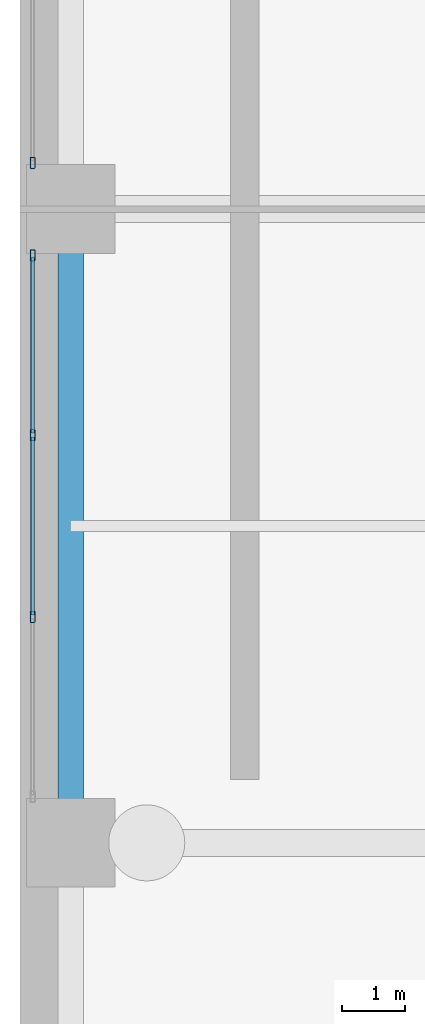
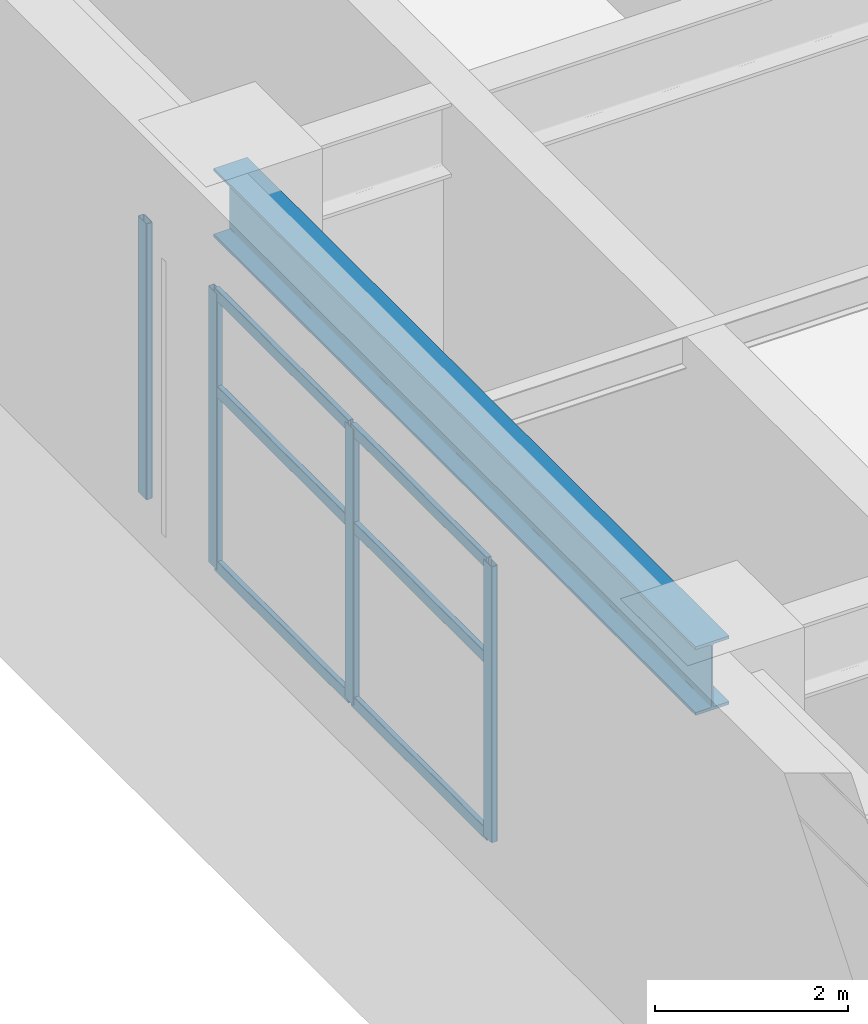
# One storey, part 8 of 25: 10 members, 1 beam, 2 elements without a shape of their own.
"""IFC4 building model written with IfcOpenShell, lengths in metres."""

from ifc_helpers import new_model, si_unit, direction, frame, origin, origin_2d, place, context, subcontext, project, spatial, hollow_rectangle, i_section, extrude, material, layer, layer_set, material_profile, profile_set, type_object, element, aggregate, save


model = new_model("IFC4")

# Units and contexts
model_context = context("Model", 3, precision=1e-05, world=origin(), true_north=direction((0.0, 1.0)))
body_context = subcontext(model_context, "Body", "Model", "MODEL_VIEW")
ifc_project = project(units=[si_unit("LENGTHUNIT", "METRE"), si_unit("AREAUNIT", "SQUARE_METRE"), si_unit("VOLUMEUNIT", "CUBIC_METRE"), si_unit("PLANEANGLEUNIT", "RADIAN"), si_unit("MASSUNIT", "GRAM", prefix="KILO")], contexts=[model_context])

# Site, building, storey
site_placement = place(None, origin())
site = spatial("IfcSite", under=ifc_project, at=site_placement, CompositionType="ELEMENT")
building_placement = place(site_placement, origin())
building = spatial("IfcBuilding", under=site, at=building_placement, Name="Soratama Intermodal Tower", CompositionType="ELEMENT")
storey_placement = place(building_placement, frame((0.0, 0.0, -10.199951171875)))
storey = spatial("IfcBuildingStorey", under=building, at=storey_placement, Name="B2", CompositionType="ELEMENT", Elevation=-10.199951171875)

# Beam
ifc_material_1 = material(Name="Structural steel ASTM A992 Grade 50", Category="steel")
ifc_material_profile_1 = material_profile(ifc_material_1, i_section(OverallWidth=0.403076171875, OverallDepth=0.867919921875, WebThickness=0.02099609375, FlangeThickness=0.03564453125, FilletRadius=0.01806640625, at=origin_2d()), Name="W33X241")
ifc_profile_set_1 = profile_set([ifc_material_profile_1], Name="Structural steel ASTM A992 Grade 50")
beam_type = type_object("IfcBeamType", Name="BM-POD-EXT-W33", PredefinedType="BEAM", material=ifc_profile_set_1)
beam_placement = place(storey_placement, frame((0.800048828125, 15.0, 4.005859375), z_axis=(0.0, 1.0, 0.0), x_axis=(-1.0, 0.0, 0.0)))
element("IfcBeam", 1, at=beam_placement, inside=storey, type_object=beam_type, Name="B2 Station Girder Y1-2", PredefinedType="BEAM", context=body_context, shape_type="SweptSolid", body=[
    extrude(i_section(OverallWidth=0.403076171875, OverallDepth=0.867919921875, WebThickness=0.02099609375, FlangeThickness=0.03564453125, FilletRadius=0.01806640625, at=origin_2d()), origin(), (0.0, 0.0, 1.0), 10.0),
])

# Curtain wall, members
ifc_material_2 = material(Name="Double-glazed aluminium curtain wall", Category="aluminium")
ifc_layer = layer(ifc_material_2, 0.159912109375)
ifc_layer_set = layer_set([ifc_layer], Name="Double-glazed aluminium curtain wall")
curtain_wall_type = type_object("IfcCurtainWallType", Name="CW-SYS-1", PredefinedType="NOTDEFINED", material=ifc_layer_set)
curtain_wall_1_placement = place(storey_placement, origin())
curtain_wall_1 = element("IfcCurtainWall", 2, at=curtain_wall_1_placement, inside=storey, type_object=curtain_wall_type, Name="B2 Station Curtain Wall W1", PredefinedType="NOTDEFINED")
ifc_material_3 = material(Name="Anodised aluminium AA 6063-T6", Category="aluminium")
ifc_material_profile_2 = material_profile(ifc_material_3, hollow_rectangle(XDim=0.074951171875, YDim=0.179931640625, WallThickness=0.006103515625, InnerFilletRadius=0.006103515625, OuterFilletRadius=0.011962890625, at=origin_2d()), Name="CWM180X75X6")
ifc_profile_set_2 = profile_set([ifc_material_profile_2], Name="Anodised aluminium AA 6063-T6")
member_type_1 = type_object("IfcMemberType", Name="MT-CWM-1", PredefinedType="MULLION", material=ifc_profile_set_2)
member_1_placement = place(storey_placement, frame((0.199951171875, 18.566650390625, 0.0), z_axis=(0.0, 0.0, 1.0), x_axis=(-1.0, 0.0, 0.0)))
member_1 = element("IfcMember", 3, at=member_1_placement, type_object=member_type_1, Name="CW-1 mullion 2", PredefinedType="MULLION", context=body_context, shape_type="SweptSolid", body=[
    extrude(hollow_rectangle(XDim=0.074951171875, YDim=0.179931640625, WallThickness=0.006103515625, InnerFilletRadius=0.006103515625, OuterFilletRadius=0.011962890625, at=origin_2d()), origin(), (0.0, 0.0, 1.0), 3.495849609375),
])
member_2_placement = place(storey_placement, frame((0.199951171875, 21.433349609375, 0.0), z_axis=(0.0, 0.0, 1.0), x_axis=(-1.0, 0.0, 0.0)))
member_2 = element("IfcMember", 4, at=member_2_placement, type_object=member_type_1, Name="CW-1 mullion 3", PredefinedType="MULLION", context=body_context, shape_type="SweptSolid", body=[
    extrude(hollow_rectangle(XDim=0.074951171875, YDim=0.179931640625, WallThickness=0.006103515625, InnerFilletRadius=0.006103515625, OuterFilletRadius=0.011962890625, at=origin_2d()), origin(), (0.0, 0.0, 1.0), 3.495849609375),
])
member_3_placement = place(storey_placement, frame((0.199951171875, 24.27001953125, 0.0), z_axis=(0.0, 0.0, 1.0), x_axis=(-1.0, 0.0, 0.0)))
member_3 = element("IfcMember", 5, at=member_3_placement, type_object=member_type_1, Name="CW-1 mullion 4", PredefinedType="MULLION", context=body_context, shape_type="SweptSolid", body=[
    extrude(hollow_rectangle(XDim=0.074951171875, YDim=0.179931640625, WallThickness=0.006103515625, InnerFilletRadius=0.006103515625, OuterFilletRadius=0.011962890625, at=origin_2d()), origin(), (0.0, 0.0, 1.0), 3.495849609375),
])

# Curtain wall, member
curtain_wall_2_placement = place(storey_placement, origin())
curtain_wall_2 = element("IfcCurtainWall", 6, at=curtain_wall_2_placement, inside=storey, type_object=curtain_wall_type, Name="B2 Station Curtain Wall W2", PredefinedType="NOTDEFINED")
member_4_placement = place(storey_placement, frame((0.199951171875, 25.72998046875, 0.0), z_axis=(0.0, 0.0, 1.0), x_axis=(-1.0, 0.0, 0.0)))
member_4 = element("IfcMember", 7, at=member_4_placement, type_object=member_type_1, Name="CW-1 mullion 1", PredefinedType="MULLION", context=body_context, shape_type="SweptSolid", body=[
    extrude(hollow_rectangle(XDim=0.074951171875, YDim=0.179931640625, WallThickness=0.006103515625, InnerFilletRadius=0.006103515625, OuterFilletRadius=0.011962890625, at=origin_2d()), origin(), (0.0, 0.0, 1.0), 3.495849609375),
])
aggregate(curtain_wall_2, [member_4])

# Member
ifc_material_4 = material(Name="Anodised aluminium AA 6063-T6", Category="aluminium")
ifc_material_profile_3 = material_profile(ifc_material_4, hollow_rectangle(XDim=0.06494140625, YDim=0.14990234375, WallThickness=0.0048828125, InnerFilletRadius=0.0048828125, OuterFilletRadius=0.010009765625, at=origin_2d()), Name="CWT150X65X5")
ifc_profile_set_3 = profile_set([ifc_material_profile_3], Name="Anodised aluminium AA 6063-T6")
member_type_2 = type_object("IfcMemberType", Name="TT-CWT-1", PredefinedType="USERDEFINED", material=ifc_profile_set_3)
member_5_placement = place(storey_placement, frame((0.199951171875, 18.5966796875, 0.030029296875), z_axis=(0.0, 1.0, 0.0), x_axis=(-1.0, 0.0, 0.0)))
member_5 = element("IfcMember", 8, at=member_5_placement, type_object=member_type_2, Name="CW-1 transom 2.1", ObjectType="TRANSOM", PredefinedType="USERDEFINED", context=body_context, shape_type="SweptSolid", body=[
    extrude(hollow_rectangle(XDim=0.06494140625, YDim=0.14990234375, WallThickness=0.0048828125, InnerFilletRadius=0.0048828125, OuterFilletRadius=0.010009765625, at=origin_2d()), origin(), (0.0, 0.0, 1.0), 2.806640625),
])

member_6_placement = place(storey_placement, frame((0.199951171875, 18.5966796875, 2.25), z_axis=(0.0, 1.0, 0.0), x_axis=(-1.0, 0.0, 0.0)))
member_6 = element("IfcMember", 9, at=member_6_placement, type_object=member_type_2, Name="CW-1 transom 2.2", ObjectType="TRANSOM", PredefinedType="USERDEFINED", context=body_context, shape_type="SweptSolid", body=[
    extrude(hollow_rectangle(XDim=0.06494140625, YDim=0.14990234375, WallThickness=0.0048828125, InnerFilletRadius=0.0048828125, OuterFilletRadius=0.010009765625, at=origin_2d()), origin(), (0.0, 0.0, 1.0), 2.806640625),
])

member_7_placement = place(storey_placement, frame((0.199951171875, 18.5966796875, 3.466064453125), z_axis=(0.0, 1.0, 0.0), x_axis=(-1.0, 0.0, 0.0)))
member_7 = element("IfcMember", 10, at=member_7_placement, type_object=member_type_2, Name="CW-1 transom 2.3", ObjectType="TRANSOM", PredefinedType="USERDEFINED", context=body_context, shape_type="SweptSolid", body=[
    extrude(hollow_rectangle(XDim=0.06494140625, YDim=0.14990234375, WallThickness=0.0048828125, InnerFilletRadius=0.0048828125, OuterFilletRadius=0.010009765625, at=origin_2d()), origin(), (0.0, 0.0, 1.0), 2.806640625),
])

member_8_placement = place(storey_placement, frame((0.199951171875, 21.46337890625, 0.030029296875), z_axis=(0.0, 1.0, 0.0), x_axis=(-1.0, 0.0, 0.0)))
member_8 = element("IfcMember", 11, at=member_8_placement, type_object=member_type_2, Name="CW-1 transom 3.1", ObjectType="TRANSOM", PredefinedType="USERDEFINED", context=body_context, shape_type="SweptSolid", body=[
    extrude(hollow_rectangle(XDim=0.06494140625, YDim=0.14990234375, WallThickness=0.0048828125, InnerFilletRadius=0.0048828125, OuterFilletRadius=0.010009765625, at=origin_2d()), origin(), (0.0, 0.0, 1.0), 2.776611328125),
])

member_9_placement = place(storey_placement, frame((0.199951171875, 21.46337890625, 2.25), z_axis=(0.0, 1.0, 0.0), x_axis=(-1.0, 0.0, 0.0)))
member_9 = element("IfcMember", 12, at=member_9_placement, type_object=member_type_2, Name="CW-1 transom 3.2", ObjectType="TRANSOM", PredefinedType="USERDEFINED", context=body_context, shape_type="SweptSolid", body=[
    extrude(hollow_rectangle(XDim=0.06494140625, YDim=0.14990234375, WallThickness=0.0048828125, InnerFilletRadius=0.0048828125, OuterFilletRadius=0.010009765625, at=origin_2d()), origin(), (0.0, 0.0, 1.0), 2.776611328125),
])

member_10_placement = place(storey_placement, frame((0.199951171875, 21.46337890625, 3.466064453125), z_axis=(0.0, 1.0, 0.0), x_axis=(-1.0, 0.0, 0.0)))
member_10 = element("IfcMember", 13, at=member_10_placement, type_object=member_type_2, Name="CW-1 transom 3.3", ObjectType="TRANSOM", PredefinedType="USERDEFINED", context=body_context, shape_type="SweptSolid", body=[
    extrude(hollow_rectangle(XDim=0.06494140625, YDim=0.14990234375, WallThickness=0.0048828125, InnerFilletRadius=0.0048828125, OuterFilletRadius=0.010009765625, at=origin_2d()), origin(), (0.0, 0.0, 1.0), 2.776611328125),
])

aggregate(curtain_wall_1, [member_1, member_2, member_3, member_5, member_6, member_7, member_8, member_9, member_10])

save(model, "model.ifc")
